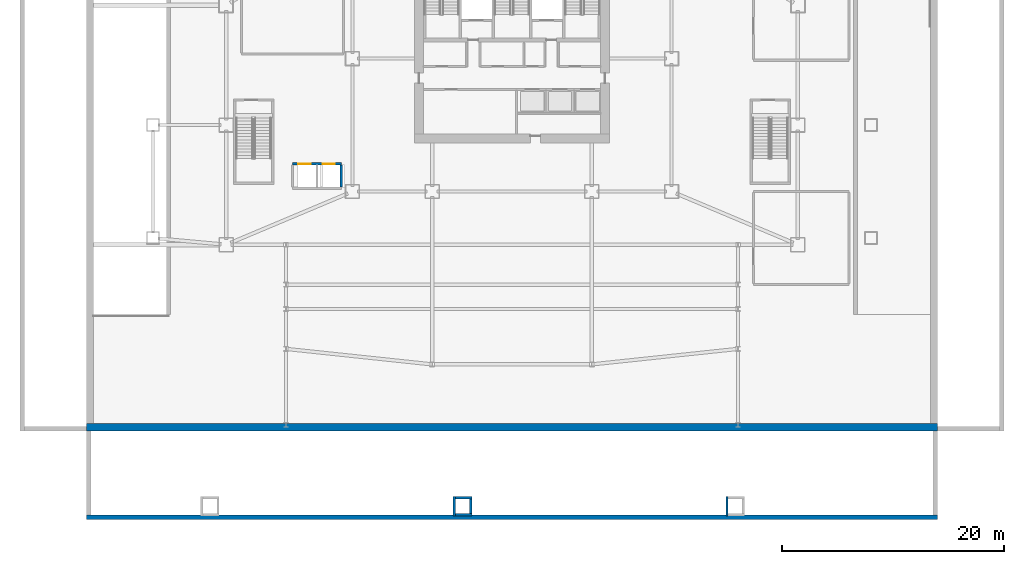
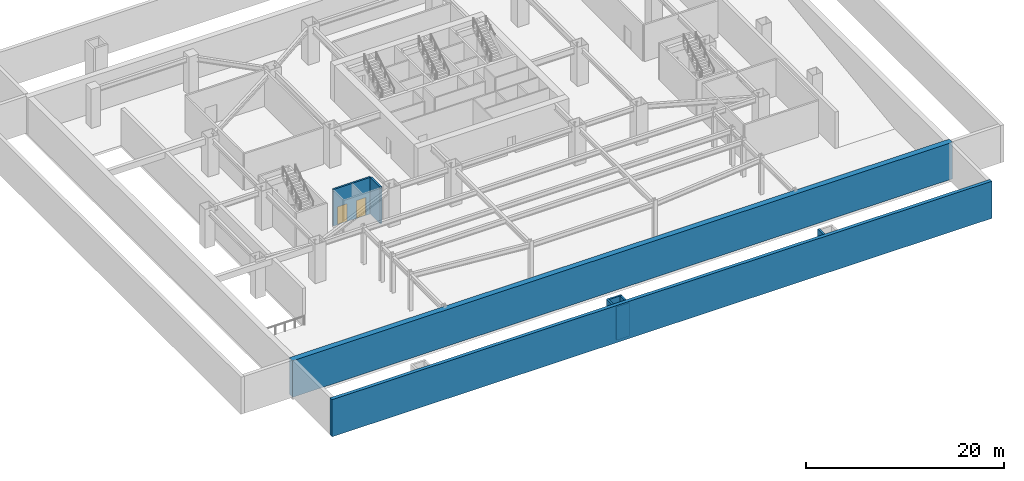
# One storey, part 6 of 15: 9 walls, 2 doors, 2 openings.
"""IFC4 building model written with IfcOpenShell, lengths in metres."""

from ifc_helpers import new_model, si_unit, direction, frame, frame_2d, origin, place, context, subcontext, project, spatial, rectangle, extrude, material, layer, layer_set, type_object, element, fill, save


model = new_model("IFC4")

# Units and contexts
model_context = context("Model", 3, precision=1e-05, world=origin(), true_north=direction((0.0, 1.0)))
body_context = subcontext(model_context, "Body", "Model", "MODEL_VIEW")
ifc_project = project(units=[si_unit("LENGTHUNIT", "METRE"), si_unit("AREAUNIT", "SQUARE_METRE"), si_unit("VOLUMEUNIT", "CUBIC_METRE"), si_unit("PLANEANGLEUNIT", "RADIAN"), si_unit("MASSUNIT", "GRAM", prefix="KILO")], contexts=[model_context])

# Site, building, storey
site_placement = place(None, origin())
site = spatial("IfcSite", under=ifc_project, at=site_placement, CompositionType="ELEMENT")
building_placement = place(site_placement, origin())
building = spatial("IfcBuilding", under=site, at=building_placement, Name="Haolan Belvedere Tower", CompositionType="ELEMENT")
storey_placement = place(building_placement, frame((0.0, 0.0, -4.800048828125)))
storey = spatial("IfcBuildingStorey", under=building, at=storey_placement, Name="B1", CompositionType="ELEMENT", Elevation=-4.800048828125)

# Walls
ifc_material_1 = material(Name="Concrete C50/60", Category="concrete")
ifc_layer_1 = layer(ifc_material_1, 0.64990234375, Name="Concrete C50/60")
ifc_layer_set_1 = layer_set([ifc_layer_1], Name="Concrete C50/60")
wall_type_1 = type_object("IfcWallType", Name="WL-RET-650", PredefinedType="USERDEFINED", material=ifc_layer_set_1)
wall_1_placement = place(storey_placement, frame((0.0, 0.324951171875, 0.0), z_axis=(0.0, 0.0, 1.0), x_axis=(1.0, 0.0, 0.0)))
element("IfcWall", 1, at=wall_1_placement, inside=storey, type_object=wall_type_1, Name="B1 perimeter retaining wall S", ObjectType="RETAINING", PredefinedType="USERDEFINED", context=body_context, shape_type="SweptSolid", body=[
    extrude(rectangle(XDim=76.800048828125, YDim=0.64990234375, at=frame_2d((38.39990234375, 0.0))), origin(), (0.0, 0.0, 1.0), 4.5),
])
ifc_layer_2 = layer(ifc_material_1, 0.39990234375, Name="Concrete C50/60")
ifc_layer_set_2 = layer_set([ifc_layer_2], Name="Concrete C50/60")
wall_type_2 = type_object("IfcWallType", Name="WL-RMP-400", PredefinedType="SOLIDWALL", material=ifc_layer_set_2)
wall_2_placement = place(storey_placement, frame((0.0, -7.800048828125, 0.0), z_axis=(0.0, 0.0, 1.0), x_axis=(1.0, 0.0, 0.0)))
element("IfcWall", 2, at=wall_2_placement, inside=storey, type_object=wall_type_2, Name="B1 apron support wall APW-S-OUT", PredefinedType="SOLIDWALL", context=body_context, shape_type="SweptSolid", body=[
    extrude(rectangle(XDim=76.800048828125, YDim=0.39990234375, at=frame_2d((38.39990234375, 0.0))), origin(), (0.0, 0.0, 1.0), 4.570068359375),
])

# Wall, openings, doors
ifc_material_2 = material(Name="Precast concrete C40/50", Category="concrete")
ifc_layer_3 = layer(ifc_material_2, 0.205078125, Name="Precast concrete C40/50")
ifc_layer_set_3 = layer_set([ifc_layer_3], Name="Precast concrete C40/50")
wall_type_3 = type_object("IfcWallType", Name="WL-SHAFT-200", PredefinedType="SOLIDWALL", material=ifc_layer_set_3)
wall_3_placement = place(storey_placement, frame((18.60009765625, 24.10009765625, 0.0), z_axis=(0.0, 0.0, 1.0), x_axis=(1.0, 0.0, 0.0)))
wall_3 = element("IfcWall", 3, at=wall_3_placement, inside=storey, type_object=wall_type_3, Name="B1 interior partition IW-B1-PB-N", PredefinedType="SOLIDWALL", context=body_context, shape_type="SweptSolid", body=[
    extrude(rectangle(XDim=4.39990234375, YDim=0.199951171875, at=frame_2d((2.199951171875, 0.0))), origin(), (0.0, 0.0, 1.0), 4.5),
])
opening_1_placement = place(wall_3_placement, frame((0.52001953125, 0.0, 0.0)))
opening_1 = element("IfcOpeningElement", 4, at=opening_1_placement, cuts=wall_3, Name="Opening LD-01", PredefinedType="OPENING", context=body_context, shape_type="SweptSolid", body=[
    extrude(rectangle(XDim=1.10009765625, YDim=2.199951171875, at=frame_2d((0.550048828125, 1.10009765625))), frame((0.0, 0.10986328125, 0.0), z_axis=(0.0, -1.0, 0.0), x_axis=(1.0, 0.0, 0.0)), (0.0, 0.0, 1.0), 0.219970703125),
])
opening_2_placement = place(wall_3_placement, frame((2.719970703125, 0.0, 0.0)))
opening_2 = element("IfcOpeningElement", 5, at=opening_2_placement, cuts=wall_3, Name="Opening LD-01", PredefinedType="OPENING", context=body_context, shape_type="SweptSolid", body=[
    extrude(rectangle(XDim=1.10009765625, YDim=2.199951171875, at=frame_2d((0.550048828125, 1.10009765625))), frame((0.0, 0.10986328125, 0.0), z_axis=(0.0, -1.0, 0.0), x_axis=(1.0, 0.0, 0.0)), (0.0, 0.0, 1.0), 0.219970703125),
])
ifc_material_3 = material(Name="Brushed champagne stainless steel 316L", Category="steel")
door_type = type_object("IfcDoorType", Name="DR-LIFT-1100", OperationType="SLIDING_TO_LEFT", PredefinedType="DOOR", material=ifc_material_3)
door_1_placement = place(opening_1_placement, origin())
door_1 = element("IfcDoor", 6, at=door_1_placement, inside=storey, type_object=door_type, Name="B1 door ID-B1-LD-PB1", OperationType="SLIDING_TO_LEFT", OverallHeight=2.199951171875, OverallWidth=1.10009765625, PredefinedType="DOOR", context=body_context, shape_type="SweptSolid", body=[
    extrude(rectangle(XDim=1.10009765625, YDim=2.199951171875, at=frame_2d((0.550048828125, 1.10009765625))), frame((0.0, 0.02490234375, 0.0), z_axis=(0.0, -1.0, 0.0), x_axis=(1.0, 0.0, 0.0)), (0.0, 0.0, 1.0), 0.050048828125),
])
fill(opening_1, door_1)
door_2_placement = place(opening_2_placement, origin())
door_2 = element("IfcDoor", 7, at=door_2_placement, inside=storey, type_object=door_type, Name="B1 door ID-B1-LD-PB2", OperationType="SLIDING_TO_LEFT", OverallHeight=2.199951171875, OverallWidth=1.10009765625, PredefinedType="DOOR", context=body_context, shape_type="SweptSolid", body=[
    extrude(rectangle(XDim=1.10009765625, YDim=2.199951171875, at=frame_2d((0.550048828125, 1.10009765625))), frame((0.0, 0.02490234375, 0.0), z_axis=(0.0, -1.0, 0.0), x_axis=(1.0, 0.0, 0.0)), (0.0, 0.0, 1.0), 0.050048828125),
])
fill(opening_2, door_2)

# Walls
wall_4_placement = place(storey_placement, frame((23.0, 22.0, 0.0), z_axis=(0.0, 0.0, 1.0), x_axis=(0.0, 1.0, 0.0)))
element("IfcWall", 8, at=wall_4_placement, inside=storey, type_object=wall_type_3, Name="B1 interior partition IW-B1-PB-E", PredefinedType="SOLIDWALL", context=body_context, shape_type="SweptSolid", body=[
    extrude(rectangle(XDim=2.0, YDim=0.199951171875, at=frame_2d((1.0, 0.0))), origin(), (0.0, 0.0, 1.0), 4.5),
])
ifc_layer_4 = layer(ifc_material_1, 0.219970703125, Name="Concrete C50/60")
ifc_layer_set_4 = layer_set([ifc_layer_4], Name="Concrete C50/60")
wall_type_4 = type_object("IfcWallType", Name="WL-STAIR-220", PredefinedType="SHEAR", material=ifc_layer_set_4)
for number, where, z_axis, x_axis, name in (
    (9, (57.800048828125, -7.659912109375, 0.0), (0.0, 0.0, 1.0), (0.0, 1.0, 0.0), "South-east plaza step-free accessible ramp AR-2 foundation stem wall B1 W"),
    (10, (33.199951171875, -7.659912109375, 0.0), (0.0, 0.0, 1.0), (0.0, 1.0, 0.0), "South central arrival plaza step-free accessible ramp AR-5 foundation stem wall B1 W"),
):
    element("IfcWall", number, at=place(storey_placement, frame(where, z_axis=z_axis, x_axis=x_axis)), inside=storey, type_object=wall_type_4, Name=name, PredefinedType="SHEAR", context=body_context, shape_type="SweptSolid", body=[
        extrude(rectangle(XDim=1.719970703125, YDim=0.219970703125, at=frame_2d((0.85986328125, 0.0))), origin(), (0.0, 0.0, 1.0), 4.1201171875),
    ])
for number, where, z_axis, x_axis, name in (
    (11, (33.31005859375, -6.050048828125, 0.0), (0.0, 0.0, 1.0), (1.0, 0.0, 0.0), "South central arrival plaza step-free accessible ramp AR-5 foundation stem wall B1 N"),
    (12, (33.31005859375, -7.550048828125, 0.0), (0.0, 0.0, 1.0), (1.0, 0.0, 0.0), "South central arrival plaza step-free accessible ramp AR-5 foundation stem wall B1 S"),
):
    element("IfcWall", number, at=place(storey_placement, frame(where, z_axis=z_axis, x_axis=x_axis)), inside=storey, type_object=wall_type_4, Name=name, PredefinedType="SHEAR", context=body_context, shape_type="SweptSolid", body=[
        extrude(rectangle(XDim=1.469970703125, YDim=0.219970703125, at=frame_2d((0.73486328125, 0.0))), origin(), (0.0, 0.0, 1.0), 4.1201171875),
    ])
wall_5_placement = place(storey_placement, frame((34.669921875, -7.43994140625, 0.0), z_axis=(0.0, 0.0, 1.0), x_axis=(0.0, 1.0, 0.0)))
element("IfcWall", 13, at=wall_5_placement, inside=storey, type_object=wall_type_4, Name="South central arrival plaza step-free accessible ramp AR-5 foundation stem wall B1 E", PredefinedType="SHEAR", context=body_context, shape_type="SweptSolid", body=[
    extrude(rectangle(XDim=1.280029296875, YDim=0.219970703125, at=frame_2d((0.64013671875, 0.0))), origin(), (0.0, 0.0, 1.0), 4.1201171875),
])

save(model, "model.ifc")
